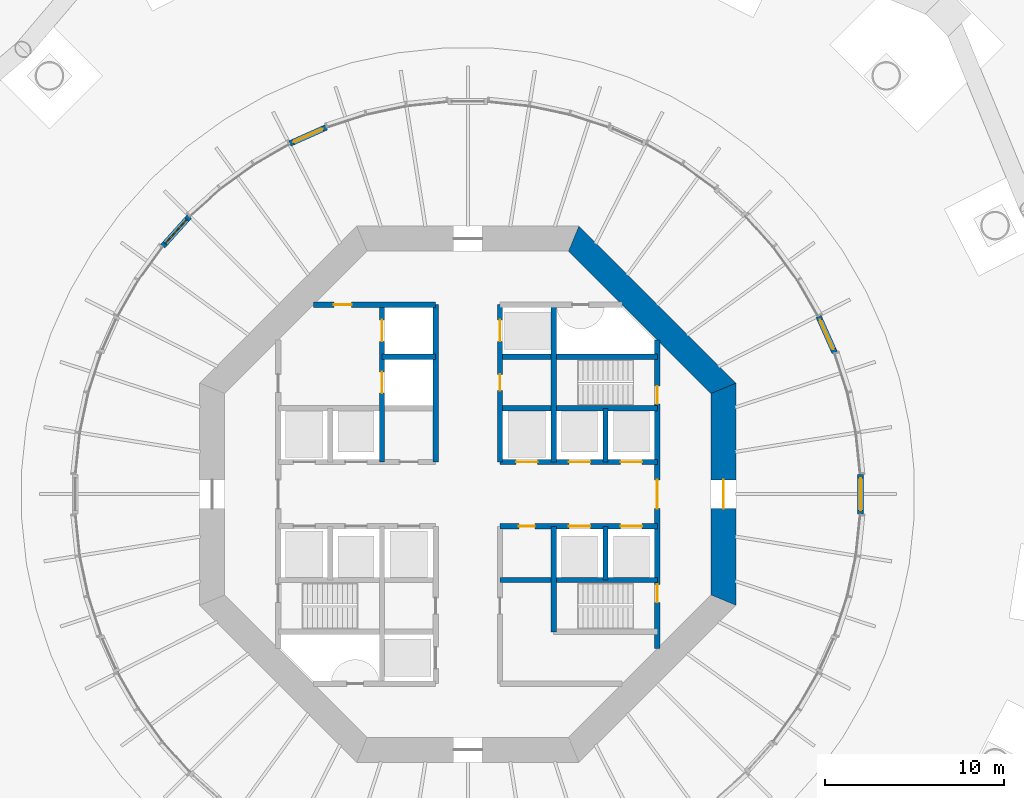
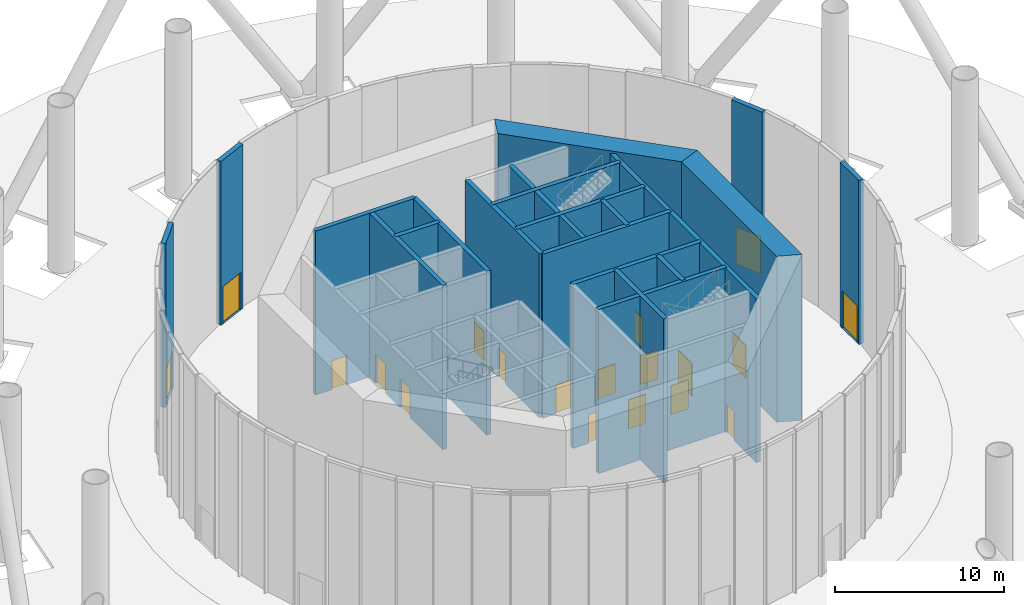
# One storey, part 5 of 12: 21 walls, 19 doors, 19 openings.
"""IFC4 building model written with IfcOpenShell, lengths in metres."""

from ifc_helpers import new_model, si_unit, direction, frame, frame_2d, origin, place, context, subcontext, project, spatial, polyline, rectangle, outline, extrude, material, layer, layer_set, type_object, element, fill, save


model = new_model("IFC4")

# Units and contexts
model_context = context("Model", 3, precision=1e-05, world=origin(), true_north=direction((0.0, 1.0)))
body_context = subcontext(model_context, "Body", "Model", "MODEL_VIEW")
ifc_project = project(units=[si_unit("LENGTHUNIT", "METRE"), si_unit("AREAUNIT", "SQUARE_METRE"), si_unit("VOLUMEUNIT", "CUBIC_METRE"), si_unit("PLANEANGLEUNIT", "RADIAN"), si_unit("MASSUNIT", "GRAM", prefix="KILO")], contexts=[model_context])

# Site, building, storey
site_placement = place(None, origin())
site = spatial("IfcSite", under=ifc_project, at=site_placement, CompositionType="ELEMENT")
building_placement = place(site_placement, origin())
building = spatial("IfcBuilding", under=site, at=building_placement, Name="Entoto Ring Tower", CompositionType="ELEMENT")
storey_placement = place(building_placement, origin())
storey = spatial("IfcBuildingStorey", under=building, at=storey_placement, Name="L00", CompositionType="ELEMENT", Elevation=0.0)

# Wall, openings, doors
ifc_material_1 = material(Name="Concrete C40/50", Category="concrete")
ifc_layer_1 = layer(ifc_material_1, 0.300048828125)
ifc_layer_set_1 = layer_set([ifc_layer_1], Name="Concrete C40/50")
wall_type_1 = type_object("IfcWallType", Name="Core enclosure wall 300 mm reinforced concrete", PredefinedType="SOLIDWALL", material=ifc_layer_set_1)
wall_1_placement = place(storey_placement, frame((100.60009765625, 71.36669921875, 0.0), z_axis=(0.0, 0.0, 1.0), x_axis=(0.0, 1.0, 0.0)))
wall_1 = element("IfcWall", 1, at=wall_1_placement, inside=storey, type_object=wall_type_1, Name="wall-L00-001", PredefinedType="SOLIDWALL", context=body_context, shape_type="SweptSolid", body=[
    extrude(rectangle(XDim=17.2666015625, YDim=0.300048828125, at=frame_2d((8.63330078125, 0.0))), origin(), (0.0, 0.0, 1.0), 11.85009765625),
])
opening_1_placement = place(wall_1_placement, frame((13.683349609375, 0.0, 0.0)))
opening_1 = element("IfcOpeningElement", 2, at=opening_1_placement, cuts=wall_1, Name="Opening K-22", PredefinedType="OPENING", context=body_context, shape_type="SweptSolid", body=[
    extrude(rectangle(XDim=1.0, YDim=2.10009765625, at=frame_2d((0.5, 1.050048828125))), frame((0.0, 0.16015625, 0.0), z_axis=(0.0, -1.0, 0.0), x_axis=(1.0, 0.0, 0.0)), (0.0, 0.0, 1.0), 0.320068359375),
])
opening_2_placement = place(wall_1_placement, frame((2.583251953125, 0.0, 0.0)))
opening_2 = element("IfcOpeningElement", 3, at=opening_2_placement, cuts=wall_1, Name="Opening K-73", PredefinedType="OPENING", context=body_context, shape_type="SweptSolid", body=[
    extrude(rectangle(XDim=1.0, YDim=2.10009765625, at=frame_2d((0.5, 1.050048828125))), frame((0.0, 0.16015625, 0.0), z_axis=(0.0, -1.0, 0.0), x_axis=(1.0, 0.0, 0.0)), (0.0, 0.0, 1.0), 0.320068359375),
])
opening_3_placement = place(wall_1_placement, frame((7.833251953125, 0.0, 0.0)))
opening_3 = element("IfcOpeningElement", 4, at=opening_3_placement, cuts=wall_1, Name="Opening KV-01", PredefinedType="OPENING", context=body_context, shape_type="SweptSolid", body=[
    extrude(rectangle(XDim=1.60009765625, YDim=2.39990234375, at=frame_2d((0.800048828125, 1.199951171875))), frame((0.0, 0.16015625, 0.0), z_axis=(0.0, -1.0, 0.0), x_axis=(1.0, 0.0, 0.0)), (0.0, 0.0, 1.0), 0.320068359375),
])
ifc_material_2 = material(Name="Steel door leaf, fire rated", Category="steel")
ifc_layer_2 = layer(ifc_material_2, 0.050048828125)
ifc_layer_set_2 = layer_set([ifc_layer_2], Name="Steel door leaf, fire rated")
door_type_1 = type_object("IfcDoorType", Name="Entrance door FD60 1600 x 2400 double leaf", OperationType="DOUBLE_DOOR_SINGLE_SWING", PredefinedType="DOOR", material=ifc_layer_set_2)
door_1_placement = place(opening_3_placement, frame((1.60009765625, 0.0, 0.0), z_axis=(0.0, 0.0, 1.0), x_axis=(-1.0, 0.0, 0.0)))
door_1 = element("IfcDoor", 5, at=door_1_placement, inside=storey, type_object=door_type_1, Name="Door KV-01", OperationType="DOUBLE_DOOR_SINGLE_SWING", OverallHeight=2.39990234375, OverallWidth=1.60009765625, PredefinedType="DOOR", context=body_context, shape_type="SweptSolid", body=[
    extrude(rectangle(XDim=1.60009765625, YDim=2.39990234375, at=frame_2d((0.800048828125, 1.199951171875))), frame((0.0, 0.02490234375, 0.0), z_axis=(0.0, -1.0, 0.0), x_axis=(1.0, 0.0, 0.0)), (0.0, 0.0, 1.0), 0.050048828125),
])
fill(opening_3, door_1)
ifc_material_3 = material(Name="Steel door leaf, fire rated", Category="steel")
ifc_layer_3 = layer(ifc_material_3, 0.050048828125)
ifc_layer_set_3 = layer_set([ifc_layer_3], Name="Steel door leaf, fire rated")
door_type_2 = type_object("IfcDoorType", Name="Fire door FD60 1000 x 2100 single leaf", OperationType="NOTDEFINED", PredefinedType="DOOR", material=ifc_layer_set_3)
door_2_placement = place(opening_1_placement, origin())
door_2 = element("IfcDoor", 6, at=door_2_placement, inside=storey, type_object=door_type_2, Name="Door K-22", OperationType="SINGLE_SWING_LEFT", OverallHeight=2.10009765625, OverallWidth=1.0, PredefinedType="DOOR", context=body_context, shape_type="SweptSolid", body=[
    extrude(rectangle(XDim=1.0, YDim=2.10009765625, at=frame_2d((0.5, 1.050048828125))), frame((0.0, 0.02490234375, 0.0), z_axis=(0.0, -1.0, 0.0), x_axis=(1.0, 0.0, 0.0)), (0.0, 0.0, 1.0), 0.050048828125),
])
fill(opening_1, door_2)
door_3_placement = place(opening_2_placement, origin())
door_3 = element("IfcDoor", 7, at=door_3_placement, inside=storey, type_object=door_type_2, Name="Door K-73", OperationType="SINGLE_SWING_RIGHT", OverallHeight=2.10009765625, OverallWidth=1.0, PredefinedType="DOOR", context=body_context, shape_type="SweptSolid", body=[
    extrude(rectangle(XDim=1.0, YDim=2.10009765625, at=frame_2d((0.5, 1.050048828125))), frame((0.0, 0.02490234375, 0.0), z_axis=(0.0, -1.0, 0.0), x_axis=(1.0, 0.0, 0.0)), (0.0, 0.0, 1.0), 0.050048828125),
])
fill(opening_2, door_3)

# Walls
for number, where, z_axis, x_axis, name in (
    (8, (97.699951171875, 75.199951171875, 0.0), (0.0, 0.0, 1.0), (0.0, 1.0, 0.0), "wall-L00-002"),
    (9, (97.699951171875, 81.800048828125, 0.0), (0.0, 0.0, 1.0), (0.0, 1.0, 0.0), "wall-L00-003"),
):
    element("IfcWall", number, at=place(storey_placement, frame(where, z_axis=z_axis, x_axis=x_axis)), inside=storey, type_object=wall_type_1, Name=name, PredefinedType="SOLIDWALL", context=body_context, shape_type="SweptSolid", body=[
        extrude(rectangle(XDim=3.0, YDim=0.300048828125, at=frame_2d((1.5, 0.0))), origin(), (0.0, 0.0, 1.0), 11.85009765625),
    ])
wall_2_placement = place(storey_placement, frame((94.800048828125, 72.300048828125, 0.0), z_axis=(0.0, 0.0, 1.0), x_axis=(0.0, 1.0, 0.0)))
element("IfcWall", 10, at=wall_2_placement, inside=storey, type_object=wall_type_1, Name="wall-L00-004", PredefinedType="SOLIDWALL", context=body_context, shape_type="SweptSolid", body=[
    extrude(rectangle(XDim=5.89990234375, YDim=0.300048828125, at=frame_2d((2.949951171875, 0.0))), origin(), (0.0, 0.0, 1.0), 11.85009765625),
])
wall_3_placement = place(storey_placement, frame((94.800048828125, 81.800048828125, 0.0), z_axis=(0.0, 0.0, 1.0), x_axis=(0.0, 1.0, 0.0)))
element("IfcWall", 11, at=wall_3_placement, inside=storey, type_object=wall_type_1, Name="wall-L00-005", PredefinedType="SOLIDWALL", context=body_context, shape_type="SweptSolid", body=[
    extrude(rectangle(XDim=8.800048828125, YDim=0.300048828125, at=frame_2d((4.39990234375, 0.0))), origin(), (0.0, 0.0, 1.0), 11.85009765625),
])

# Wall, openings, doors
wall_4_placement = place(storey_placement, frame((91.800048828125, 81.800048828125, 0.0), z_axis=(0.0, 0.0, 1.0), x_axis=(0.0, 1.0, 0.0)))
wall_4 = element("IfcWall", 12, at=wall_4_placement, inside=storey, type_object=wall_type_1, Name="wall-L00-007", PredefinedType="SOLIDWALL", context=body_context, shape_type="SweptSolid", body=[
    extrude(rectangle(XDim=8.800048828125, YDim=0.300048828125, at=frame_2d((4.39990234375, 0.0))), origin(), (0.0, 0.0, 1.0), 11.85009765625),
])
opening_4_placement = place(wall_4_placement, frame((6.75, 0.0, 0.0)))
opening_4 = element("IfcOpeningElement", 13, at=opening_4_placement, cuts=wall_4, Name="Opening LD", PredefinedType="OPENING", context=body_context, shape_type="SweptSolid", body=[
    extrude(rectangle(XDim=1.199951171875, YDim=2.10009765625, at=frame_2d((0.60009765625, 1.050048828125))), frame((0.0, 0.16015625, 0.0), z_axis=(0.0, -1.0, 0.0), x_axis=(1.0, 0.0, 0.0)), (0.0, 0.0, 1.0), 0.320068359375),
])
opening_5_placement = place(wall_4_placement, frame((4.0, 0.0, 0.0)))
opening_5 = element("IfcOpeningElement", 14, at=opening_5_placement, cuts=wall_4, Name="Opening K-57", PredefinedType="OPENING", context=body_context, shape_type="SweptSolid", body=[
    extrude(rectangle(XDim=0.89990234375, YDim=2.10009765625, at=frame_2d((0.449951171875, 1.050048828125))), frame((0.0, 0.16015625, 0.0), z_axis=(0.0, -1.0, 0.0), x_axis=(1.0, 0.0, 0.0)), (0.0, 0.0, 1.0), 0.320068359375),
])
ifc_material_4 = material(Name="Steel door leaf, fire rated", Category="steel")
ifc_layer_4 = layer(ifc_material_4, 0.050048828125)
ifc_layer_set_4 = layer_set([ifc_layer_4], Name="Steel door leaf, fire rated")
door_type_3 = type_object("IfcDoorType", Name="Core door 900 x 2100 single leaf", OperationType="NOTDEFINED", PredefinedType="DOOR", material=ifc_layer_set_4)
door_4_placement = place(opening_5_placement, frame((0.89990234375, 0.0, 0.0), z_axis=(0.0, 0.0, 1.0), x_axis=(-1.0, 0.0, 0.0)))
door_4 = element("IfcDoor", 15, at=door_4_placement, inside=storey, type_object=door_type_3, Name="Door K-57", OperationType="SINGLE_SWING_RIGHT", OverallHeight=2.10009765625, OverallWidth=0.89990234375, PredefinedType="DOOR", context=body_context, shape_type="SweptSolid", body=[
    extrude(rectangle(XDim=0.89990234375, YDim=2.10009765625, at=frame_2d((0.449951171875, 1.050048828125))), frame((0.0, 0.02490234375, 0.0), z_axis=(0.0, -1.0, 0.0), x_axis=(1.0, 0.0, 0.0)), (0.0, 0.0, 1.0), 0.050048828125),
])
fill(opening_5, door_4)
ifc_material_5 = material(Name="Steel and glass door leaf", Category="steel")
ifc_layer_5 = layer(ifc_material_5, 0.050048828125)
ifc_layer_set_5 = layer_set([ifc_layer_5], Name="Steel and glass door leaf")
door_type_4 = type_object("IfcDoorType", Name="Landing door 1200 x 2100 sliding", OperationType="DOUBLE_DOOR_SLIDING", PredefinedType="DOOR", material=ifc_layer_set_5)
door_5_placement = place(opening_4_placement, origin())
door_5 = element("IfcDoor", 16, at=door_5_placement, inside=storey, type_object=door_type_4, Name="Landing door SH3", OperationType="SLIDING_TO_RIGHT", OverallHeight=2.10009765625, OverallWidth=1.199951171875, PredefinedType="DOOR", context=body_context, shape_type="SweptSolid", body=[
    extrude(rectangle(XDim=1.199951171875, YDim=2.10009765625, at=frame_2d((0.60009765625, 1.050048828125))), frame((0.0, 0.02490234375, 0.0), z_axis=(0.0, -1.0, 0.0), x_axis=(1.0, 0.0, 0.0)), (0.0, 0.0, 1.0), 0.050048828125),
])
fill(opening_4, door_5)

# Wall
wall_5_placement = place(storey_placement, frame((88.199951171875, 81.800048828125, 0.0), z_axis=(0.0, 0.0, 1.0), x_axis=(0.0, 1.0, 0.0)))
element("IfcWall", 17, at=wall_5_placement, inside=storey, type_object=wall_type_1, Name="wall-L00-009", PredefinedType="SOLIDWALL", context=body_context, shape_type="SweptSolid", body=[
    extrude(rectangle(XDim=8.800048828125, YDim=0.300048828125, at=frame_2d((4.39990234375, 0.0))), origin(), (0.0, 0.0, 1.0), 11.85009765625),
])

# Wall, openings, doors
wall_6_placement = place(storey_placement, frame((85.199951171875, 81.800048828125, 0.0), z_axis=(0.0, 0.0, 1.0), x_axis=(0.0, 1.0, 0.0)))
wall_6 = element("IfcWall", 18, at=wall_6_placement, inside=storey, type_object=wall_type_1, Name="wall-L00-011", PredefinedType="SOLIDWALL", context=body_context, shape_type="SweptSolid", body=[
    extrude(rectangle(XDim=8.800048828125, YDim=0.300048828125, at=frame_2d((4.39990234375, 0.0))), origin(), (0.0, 0.0, 1.0), 11.85009765625),
])
opening_6_placement = place(wall_6_placement, frame((3.85009765625, 0.0, 0.0)))
opening_6 = element("IfcOpeningElement", 19, at=opening_6_placement, cuts=wall_6, Name="Opening LD", PredefinedType="OPENING", context=body_context, shape_type="SweptSolid", body=[
    extrude(rectangle(XDim=1.199951171875, YDim=2.10009765625, at=frame_2d((0.60009765625, 1.050048828125))), frame((0.0, 0.16015625, 0.0), z_axis=(0.0, -1.0, 0.0), x_axis=(1.0, 0.0, 0.0)), (0.0, 0.0, 1.0), 0.320068359375),
])
opening_7_placement = place(wall_6_placement, frame((6.75, 0.0, 0.0)))
opening_7 = element("IfcOpeningElement", 20, at=opening_7_placement, cuts=wall_6, Name="Opening LD", PredefinedType="OPENING", context=body_context, shape_type="SweptSolid", body=[
    extrude(rectangle(XDim=1.199951171875, YDim=2.10009765625, at=frame_2d((0.60009765625, 1.050048828125))), frame((0.0, 0.16015625, 0.0), z_axis=(0.0, -1.0, 0.0), x_axis=(1.0, 0.0, 0.0)), (0.0, 0.0, 1.0), 0.320068359375),
])
door_6_placement = place(opening_6_placement, origin())
door_6 = element("IfcDoor", 21, at=door_6_placement, inside=storey, type_object=door_type_4, Name="Landing door FF1", OperationType="SLIDING_TO_RIGHT", OverallHeight=2.10009765625, OverallWidth=1.199951171875, PredefinedType="DOOR", context=body_context, shape_type="SweptSolid", body=[
    extrude(rectangle(XDim=1.199951171875, YDim=2.10009765625, at=frame_2d((0.60009765625, 1.050048828125))), frame((0.0, 0.02490234375, 0.0), z_axis=(0.0, -1.0, 0.0), x_axis=(1.0, 0.0, 0.0)), (0.0, 0.0, 1.0), 0.050048828125),
])
fill(opening_6, door_6)
door_7_placement = place(opening_7_placement, origin())
door_7 = element("IfcDoor", 22, at=door_7_placement, inside=storey, type_object=door_type_4, Name="Landing door FF2", OperationType="SLIDING_TO_RIGHT", OverallHeight=2.10009765625, OverallWidth=1.199951171875, PredefinedType="DOOR", context=body_context, shape_type="SweptSolid", body=[
    extrude(rectangle(XDim=1.199951171875, YDim=2.10009765625, at=frame_2d((0.60009765625, 1.050048828125))), frame((0.0, 0.02490234375, 0.0), z_axis=(0.0, -1.0, 0.0), x_axis=(1.0, 0.0, 0.0)), (0.0, 0.0, 1.0), 0.050048828125),
])
fill(opening_7, door_7)

# Wall
wall_7_placement = place(storey_placement, frame((91.800048828125, 75.199951171875, 0.0), z_axis=(0.0, 0.0, 1.0), x_axis=(1.0, 0.0, 0.0)))
element("IfcWall", 23, at=wall_7_placement, inside=storey, type_object=wall_type_1, Name="wall-L00-020", PredefinedType="SOLIDWALL", context=body_context, shape_type="SweptSolid", body=[
    extrude(rectangle(XDim=8.800048828125, YDim=0.300048828125, at=frame_2d((4.39990234375, 0.0))), origin(), (0.0, 0.0, 1.0), 11.85009765625),
])

# Wall, openings, doors
wall_8_placement = place(storey_placement, frame((91.800048828125, 78.199951171875, 0.0), z_axis=(0.0, 0.0, 1.0), x_axis=(1.0, 0.0, 0.0)))
wall_8 = element("IfcWall", 24, at=wall_8_placement, inside=storey, type_object=wall_type_1, Name="wall-L00-022", PredefinedType="SOLIDWALL", context=body_context, shape_type="SweptSolid", body=[
    extrude(rectangle(XDim=8.800048828125, YDim=0.300048828125, at=frame_2d((4.39990234375, 0.0))), origin(), (0.0, 0.0, 1.0), 11.85009765625),
])
opening_8_placement = place(wall_8_placement, frame((3.85009765625, 0.0, 0.0)))
opening_8 = element("IfcOpeningElement", 25, at=opening_8_placement, cuts=wall_8, Name="Opening LD", PredefinedType="OPENING", context=body_context, shape_type="SweptSolid", body=[
    extrude(rectangle(XDim=1.199951171875, YDim=2.10009765625, at=frame_2d((0.60009765625, 1.050048828125))), frame((0.0, 0.16015625, 0.0), z_axis=(0.0, -1.0, 0.0), x_axis=(1.0, 0.0, 0.0)), (0.0, 0.0, 1.0), 0.320068359375),
])
opening_9_placement = place(wall_8_placement, frame((6.75, 0.0, 0.0)))
opening_9 = element("IfcOpeningElement", 26, at=opening_9_placement, cuts=wall_8, Name="Opening LD", PredefinedType="OPENING", context=body_context, shape_type="SweptSolid", body=[
    extrude(rectangle(XDim=1.199951171875, YDim=2.10009765625, at=frame_2d((0.60009765625, 1.050048828125))), frame((0.0, 0.16015625, 0.0), z_axis=(0.0, -1.0, 0.0), x_axis=(1.0, 0.0, 0.0)), (0.0, 0.0, 1.0), 0.320068359375),
])
opening_10_placement = place(wall_8_placement, frame((1.050048828125, 0.0, 0.0)))
opening_10 = element("IfcOpeningElement", 27, at=opening_10_placement, cuts=wall_8, Name="Opening K-21", PredefinedType="OPENING", context=body_context, shape_type="SweptSolid", body=[
    extrude(rectangle(XDim=0.89990234375, YDim=2.10009765625, at=frame_2d((0.449951171875, 1.050048828125))), frame((0.0, 0.16015625, 0.0), z_axis=(0.0, -1.0, 0.0), x_axis=(1.0, 0.0, 0.0)), (0.0, 0.0, 1.0), 0.320068359375),
])
door_8_placement = place(opening_10_placement, frame((0.89990234375, 0.0, 0.0), z_axis=(0.0, 0.0, 1.0), x_axis=(-1.0, 0.0, 0.0)))
door_8 = element("IfcDoor", 28, at=door_8_placement, inside=storey, type_object=door_type_3, Name="Door K-21", OperationType="SINGLE_SWING_RIGHT", OverallHeight=2.10009765625, OverallWidth=0.89990234375, PredefinedType="DOOR", context=body_context, shape_type="SweptSolid", body=[
    extrude(rectangle(XDim=0.89990234375, YDim=2.10009765625, at=frame_2d((0.449951171875, 1.050048828125))), frame((0.0, 0.02490234375, 0.0), z_axis=(0.0, -1.0, 0.0), x_axis=(1.0, 0.0, 0.0)), (0.0, 0.0, 1.0), 0.050048828125),
])
fill(opening_10, door_8)
door_9_placement = place(opening_8_placement, origin())
door_9 = element("IfcDoor", 29, at=door_9_placement, inside=storey, type_object=door_type_4, Name="Landing door LB4-LR", OperationType="SLIDING_TO_RIGHT", OverallHeight=2.10009765625, OverallWidth=1.199951171875, PredefinedType="DOOR", context=body_context, shape_type="SweptSolid", body=[
    extrude(rectangle(XDim=1.199951171875, YDim=2.10009765625, at=frame_2d((0.60009765625, 1.050048828125))), frame((0.0, 0.02490234375, 0.0), z_axis=(0.0, -1.0, 0.0), x_axis=(1.0, 0.0, 0.0)), (0.0, 0.0, 1.0), 0.050048828125),
])
fill(opening_8, door_9)
door_10_placement = place(opening_9_placement, origin())
door_10 = element("IfcDoor", 30, at=door_10_placement, inside=storey, type_object=door_type_4, Name="Landing door LB5-LR", OperationType="SLIDING_TO_RIGHT", OverallHeight=2.10009765625, OverallWidth=1.199951171875, PredefinedType="DOOR", context=body_context, shape_type="SweptSolid", body=[
    extrude(rectangle(XDim=1.199951171875, YDim=2.10009765625, at=frame_2d((0.60009765625, 1.050048828125))), frame((0.0, 0.02490234375, 0.0), z_axis=(0.0, -1.0, 0.0), x_axis=(1.0, 0.0, 0.0)), (0.0, 0.0, 1.0), 0.050048828125),
])
fill(opening_9, door_10)

wall_9_placement = place(storey_placement, frame((91.800048828125, 81.800048828125, 0.0), z_axis=(0.0, 0.0, 1.0), x_axis=(1.0, 0.0, 0.0)))
wall_9 = element("IfcWall", 31, at=wall_9_placement, inside=storey, type_object=wall_type_1, Name="wall-L00-024", PredefinedType="SOLIDWALL", context=body_context, shape_type="SweptSolid", body=[
    extrude(rectangle(XDim=8.800048828125, YDim=0.300048828125, at=frame_2d((4.39990234375, 0.0))), origin(), (0.0, 0.0, 1.0), 11.85009765625),
])
opening_11_placement = place(wall_9_placement, frame((3.85009765625, 0.0, 0.0)))
opening_11 = element("IfcOpeningElement", 32, at=opening_11_placement, cuts=wall_9, Name="Opening LD", PredefinedType="OPENING", context=body_context, shape_type="SweptSolid", body=[
    extrude(rectangle(XDim=1.199951171875, YDim=2.10009765625, at=frame_2d((0.60009765625, 1.050048828125))), frame((0.0, 0.16015625, 0.0), z_axis=(0.0, -1.0, 0.0), x_axis=(1.0, 0.0, 0.0)), (0.0, 0.0, 1.0), 0.320068359375),
])
opening_12_placement = place(wall_9_placement, frame((6.75, 0.0, 0.0)))
opening_12 = element("IfcOpeningElement", 33, at=opening_12_placement, cuts=wall_9, Name="Opening LD", PredefinedType="OPENING", context=body_context, shape_type="SweptSolid", body=[
    extrude(rectangle(XDim=1.199951171875, YDim=2.10009765625, at=frame_2d((0.60009765625, 1.050048828125))), frame((0.0, 0.16015625, 0.0), z_axis=(0.0, -1.0, 0.0), x_axis=(1.0, 0.0, 0.0)), (0.0, 0.0, 1.0), 0.320068359375),
])
opening_13_placement = place(wall_9_placement, frame((0.89990234375, 0.0, 0.0)))
opening_13 = element("IfcOpeningElement", 34, at=opening_13_placement, cuts=wall_9, Name="Opening LD", PredefinedType="OPENING", context=body_context, shape_type="SweptSolid", body=[
    extrude(rectangle(XDim=1.199951171875, YDim=2.10009765625, at=frame_2d((0.60009765625, 1.050048828125))), frame((0.0, 0.16015625, 0.0), z_axis=(0.0, -1.0, 0.0), x_axis=(1.0, 0.0, 0.0)), (0.0, 0.0, 1.0), 0.320068359375),
])
door_11_placement = place(opening_11_placement, origin())
door_11 = element("IfcDoor", 35, at=door_11_placement, inside=storey, type_object=door_type_4, Name="Landing door LB1-LR", OperationType="SLIDING_TO_RIGHT", OverallHeight=2.10009765625, OverallWidth=1.199951171875, PredefinedType="DOOR", context=body_context, shape_type="SweptSolid", body=[
    extrude(rectangle(XDim=1.199951171875, YDim=2.10009765625, at=frame_2d((0.60009765625, 1.050048828125))), frame((0.0, 0.02490234375, 0.0), z_axis=(0.0, -1.0, 0.0), x_axis=(1.0, 0.0, 0.0)), (0.0, 0.0, 1.0), 0.050048828125),
])
fill(opening_11, door_11)
door_12_placement = place(opening_12_placement, origin())
door_12 = element("IfcDoor", 36, at=door_12_placement, inside=storey, type_object=door_type_4, Name="Landing door LB2-LR", OperationType="SLIDING_TO_RIGHT", OverallHeight=2.10009765625, OverallWidth=1.199951171875, PredefinedType="DOOR", context=body_context, shape_type="SweptSolid", body=[
    extrude(rectangle(XDim=1.199951171875, YDim=2.10009765625, at=frame_2d((0.60009765625, 1.050048828125))), frame((0.0, 0.02490234375, 0.0), z_axis=(0.0, -1.0, 0.0), x_axis=(1.0, 0.0, 0.0)), (0.0, 0.0, 1.0), 0.050048828125),
])
fill(opening_12, door_12)
door_13_placement = place(opening_13_placement, origin())
door_13 = element("IfcDoor", 37, at=door_13_placement, inside=storey, type_object=door_type_4, Name="Landing door OB1", OperationType="SLIDING_TO_LEFT", OverallHeight=2.10009765625, OverallWidth=1.199951171875, PredefinedType="DOOR", context=body_context, shape_type="SweptSolid", body=[
    extrude(rectangle(XDim=1.199951171875, YDim=2.10009765625, at=frame_2d((0.60009765625, 1.050048828125))), frame((0.0, 0.02490234375, 0.0), z_axis=(0.0, -1.0, 0.0), x_axis=(1.0, 0.0, 0.0)), (0.0, 0.0, 1.0), 0.050048828125),
])
fill(opening_13, door_13)

# Walls
wall_10_placement = place(storey_placement, frame((91.800048828125, 84.800048828125, 0.0), z_axis=(0.0, 0.0, 1.0), x_axis=(1.0, 0.0, 0.0)))
element("IfcWall", 38, at=wall_10_placement, inside=storey, type_object=wall_type_1, Name="wall-L00-026", PredefinedType="SOLIDWALL", context=body_context, shape_type="SweptSolid", body=[
    extrude(rectangle(XDim=8.800048828125, YDim=0.300048828125, at=frame_2d((4.39990234375, 0.0))), origin(), (0.0, 0.0, 1.0), 11.85009765625),
])
wall_11_placement = place(storey_placement, frame((85.199951171875, 87.699951171875, 0.0), z_axis=(0.0, 0.0, 1.0), x_axis=(1.0, 0.0, 0.0)))
element("IfcWall", 39, at=wall_11_placement, inside=storey, type_object=wall_type_1, Name="wall-L00-027", PredefinedType="SOLIDWALL", context=body_context, shape_type="SweptSolid", body=[
    extrude(rectangle(XDim=3.0, YDim=0.300048828125, at=frame_2d((1.5, 0.0))), origin(), (0.0, 0.0, 1.0), 11.85009765625),
])
wall_12_placement = place(storey_placement, frame((91.800048828125, 87.699951171875, 0.0), z_axis=(0.0, 0.0, 1.0), x_axis=(1.0, 0.0, 0.0)))
element("IfcWall", 40, at=wall_12_placement, inside=storey, type_object=wall_type_1, Name="wall-L00-028", PredefinedType="SOLIDWALL", context=body_context, shape_type="SweptSolid", body=[
    extrude(rectangle(XDim=8.800048828125, YDim=0.300048828125, at=frame_2d((4.39990234375, 0.0))), origin(), (0.0, 0.0, 1.0), 11.85009765625),
])

# Wall, opening, door
wall_13_placement = place(storey_placement, frame((81.36669921875, 90.60009765625, 0.0), z_axis=(0.0, 0.0, 1.0), x_axis=(1.0, 0.0, 0.0)))
wall_13 = element("IfcWall", 41, at=wall_13_placement, inside=storey, type_object=wall_type_1, Name="wall-L00-029", PredefinedType="SOLIDWALL", context=body_context, shape_type="SweptSolid", body=[
    extrude(rectangle(XDim=6.833251953125, YDim=0.300048828125, at=frame_2d((3.41650390625, 0.0))), origin(), (0.0, 0.0, 1.0), 11.85009765625),
])
opening_14_placement = place(wall_13_placement, frame((1.13330078125, 0.0, 0.0)))
opening_14 = element("IfcOpeningElement", 42, at=opening_14_placement, cuts=wall_13, Name="Opening K-28", PredefinedType="OPENING", context=body_context, shape_type="SweptSolid", body=[
    extrude(rectangle(XDim=1.0, YDim=2.10009765625, at=frame_2d((0.5, 1.050048828125))), frame((0.0, 0.16015625, 0.0), z_axis=(0.0, -1.0, 0.0), x_axis=(1.0, 0.0, 0.0)), (0.0, 0.0, 1.0), 0.320068359375),
])
door_14_placement = place(opening_14_placement, frame((1.0, 0.0, 0.0), z_axis=(0.0, 0.0, 1.0), x_axis=(-1.0, 0.0, 0.0)))
door_14 = element("IfcDoor", 43, at=door_14_placement, inside=storey, type_object=door_type_2, Name="Door K-28", OperationType="SINGLE_SWING_RIGHT", OverallHeight=2.10009765625, OverallWidth=1.0, PredefinedType="DOOR", context=body_context, shape_type="SweptSolid", body=[
    extrude(rectangle(XDim=1.0, YDim=2.10009765625, at=frame_2d((0.5, 1.050048828125))), frame((0.0, 0.02490234375, 0.0), z_axis=(0.0, -1.0, 0.0), x_axis=(1.0, 0.0, 0.0)), (0.0, 0.0, 1.0), 0.050048828125),
])
fill(opening_14, door_14)

ifc_material_6 = material(Name="Concrete C60/75", Category="concrete")
ifc_layer_6 = layer(ifc_material_6, 1.39990234375)
ifc_layer_set_6 = layer_set([ifc_layer_6], Name="Concrete C60/75")
wall_type_2 = type_object("IfcWallType", Name="Core shear wall 1400 mm reinforced concrete C60/75", PredefinedType="SHEAR", material=ifc_layer_set_6)
wall_14_placement = place(storey_placement, frame((104.300048828125, 74.07666015625, 0.0), z_axis=(0.0, 0.0, 1.0), x_axis=(0.0, 1.0, 0.0)))
wall_14 = element("IfcWall", 44, at=wall_14_placement, inside=storey, type_object=wall_type_2, Name="wall-L00-core-0", PredefinedType="SHEAR", context=body_context, shape_type="SweptSolid", body=[
    extrude(outline(polyline([(-0.2900390625, -0.699951171875), (12.13671875, -0.699951171875), (11.556640625, 0.699951171875), (0.2900390625, 0.699951171875), (-0.2900390625, -0.699951171875)])), origin(), (0.0, 0.0, 1.0), 12.0),
])
opening_15_placement = place(wall_14_placement, frame((5.123291015625, 0.0, 0.0)))
opening_15 = element("IfcOpeningElement", 45, at=opening_15_placement, cuts=wall_14, Name="Opening K-01", PredefinedType="OPENING", context=body_context, shape_type="SweptSolid", body=[
    extrude(rectangle(XDim=1.60009765625, YDim=2.39990234375, at=frame_2d((0.800048828125, 1.199951171875))), frame((0.0, 0.7099609375, 0.0), z_axis=(0.0, -1.0, 0.0), x_axis=(1.0, 0.0, 0.0)), (0.0, 0.0, 1.0), 1.419921875),
])
door_15_placement = place(opening_15_placement, frame((1.60009765625, 0.0, 0.0), z_axis=(0.0, 0.0, 1.0), x_axis=(-1.0, 0.0, 0.0)))
door_15 = element("IfcDoor", 46, at=door_15_placement, inside=storey, type_object=door_type_1, Name="Entrance door K-01", OperationType="DOUBLE_DOOR_SINGLE_SWING", OverallHeight=2.39990234375, OverallWidth=1.60009765625, PredefinedType="DOOR", context=body_context, shape_type="SweptSolid", body=[
    extrude(rectangle(XDim=1.60009765625, YDim=2.39990234375, at=frame_2d((0.800048828125, 1.199951171875))), frame((0.0, 0.02490234375, 0.0), z_axis=(0.0, -1.0, 0.0), x_axis=(1.0, 0.0, 0.0)), (0.0, 0.0, 1.0), 0.050048828125),
])
fill(opening_15, door_15)

# Wall
wall_15_placement = place(storey_placement, frame((104.300048828125, 85.92333984375, 0.0), z_axis=(0.0, 0.0, 1.0), x_axis=(-0.707106781187, 0.707106781187, 0.0)))
element("IfcWall", 47, at=wall_15_placement, inside=storey, type_object=wall_type_2, Name="wall-L00-core-1", PredefinedType="SHEAR", context=body_context, shape_type="SweptSolid", body=[
    extrude(outline(polyline([(-0.2900390625, -0.699951171875), (12.136474609375, -0.699951171875), (11.556396484375, 0.699951171875), (0.2900390625, 0.699951171875), (-0.2900390625, -0.699951171875)])), origin(), (0.0, 0.0, 1.0), 12.0),
])

# Wall, opening, door
ifc_material_7 = material(Name="Trachyte stone cladding", Category="masonry")
ifc_layer_7 = layer(ifc_material_7, 0.06005859375)
ifc_material_8 = material(Name="Concrete C40/50", Category="concrete")
ifc_layer_8 = layer(ifc_material_8, 0.260009765625)
ifc_layer_set_7 = layer_set([ifc_layer_7, ifc_layer_8], Name="Trachyte stone cladding")
wall_type_3 = type_object("IfcWallType", Name="Entrance pier 320 mm trachyte-clad", PredefinedType="STANDARD", material=ifc_layer_set_7)
wall_16_placement = place(storey_placement, frame((110.5224609375, 87.920654296875, 0.0), z_axis=(0.0, 0.0, 1.0), x_axis=(-0.406739670382, 0.913544109793, 0.0)))
wall_16 = element("IfcWall", 48, at=wall_16_placement, inside=storey, type_object=wall_type_3, Name="ENTRANCE PIER 1", PredefinedType="STANDARD", context=body_context, shape_type="SweptSolid", body=[
    extrude(rectangle(XDim=2.22265625, YDim=0.320068359375, at=frame_2d((1.111328125, 0.0))), origin(), (0.0, 0.0, 1.0), 11.85009765625),
])
opening_16_placement = place(wall_16_placement, frame((0.21142578125, 0.0, 0.0)))
opening_16 = element("IfcOpeningElement", 49, at=opening_16_placement, cuts=wall_16, Name="Opening E1", PredefinedType="OPENING", context=body_context, shape_type="SweptSolid", body=[
    extrude(rectangle(XDim=1.800048828125, YDim=2.699951171875, at=frame_2d((0.89990234375, 1.35009765625))), frame((0.0, 0.169921875, 0.0), z_axis=(0.0, -1.0, 0.0), x_axis=(1.0, 0.0, 0.0)), (0.0, 0.0, 1.0), 0.340087890625),
])
ifc_material_9 = material(Name="Anodised aluminium frame with toughened clear glass", Category="aluminium")
door_type_5 = type_object("IfcDoorType", Name="Entrance door set 1800 x 2700 mm sliding", OperationType="DOUBLE_DOOR_SLIDING", PredefinedType="DOOR", material=ifc_material_9)
door_16_placement = place(opening_16_placement, frame((1.800048828125, 0.0, 0.0), z_axis=(0.0, 0.0, 1.0), x_axis=(-1.0, 0.0, 0.0)))
door_16 = element("IfcDoor", 50, at=door_16_placement, inside=storey, type_object=door_type_5, Name="ENTRANCE DOOR 1", OperationType="DOUBLE_DOOR_SLIDING", OverallHeight=2.699951171875, OverallWidth=1.800048828125, PredefinedType="DOOR", context=body_context, shape_type="SweptSolid", body=[
    extrude(rectangle(XDim=1.800048828125, YDim=2.699951171875, at=frame_2d((0.89990234375, 1.35009765625))), frame((0.0, 0.02490234375, 0.0), z_axis=(0.0, -1.0, 0.0), x_axis=(1.0, 0.0, 0.0)), (0.0, 0.0, 1.0), 0.050048828125),
])
fill(opening_16, door_16)

wall_17_placement = place(storey_placement, frame((82.079345703125, 100.5224609375, 0.0), z_axis=(0.0, 0.0, 1.0), x_axis=(-0.913544109793, -0.406739670382, 0.0)))
wall_17 = element("IfcWall", 51, at=wall_17_placement, inside=storey, type_object=wall_type_3, Name="ENTRANCE PIER 5", PredefinedType="STANDARD", context=body_context, shape_type="SweptSolid", body=[
    extrude(rectangle(XDim=2.22265625, YDim=0.320068359375, at=frame_2d((1.111328125, 0.0))), origin(), (0.0, 0.0, 1.0), 11.85009765625),
])
opening_17_placement = place(wall_17_placement, frame((0.21142578125, 0.0, 0.0)))
opening_17 = element("IfcOpeningElement", 52, at=opening_17_placement, cuts=wall_17, Name="Opening E5", PredefinedType="OPENING", context=body_context, shape_type="SweptSolid", body=[
    extrude(rectangle(XDim=1.800048828125, YDim=2.699951171875, at=frame_2d((0.89990234375, 1.35009765625))), frame((0.0, 0.169921875, 0.0), z_axis=(0.0, -1.0, 0.0), x_axis=(1.0, 0.0, 0.0)), (0.0, 0.0, 1.0), 0.340087890625),
])
door_17_placement = place(opening_17_placement, frame((1.800048828125, 0.0, 0.0), z_axis=(0.0, 0.0, 1.0), x_axis=(-1.0, 0.0, 0.0)))
door_17 = element("IfcDoor", 53, at=door_17_placement, inside=storey, type_object=door_type_5, Name="ENTRANCE DOOR 5", OperationType="DOUBLE_DOOR_SLIDING", OverallHeight=2.699951171875, OverallWidth=1.800048828125, PredefinedType="DOOR", context=body_context, shape_type="SweptSolid", body=[
    extrude(rectangle(XDim=1.800048828125, YDim=2.699951171875, at=frame_2d((0.89990234375, 1.35009765625))), frame((0.0, 0.02490234375, 0.0), z_axis=(0.0, -1.0, 0.0), x_axis=(1.0, 0.0, 0.0)), (0.0, 0.0, 1.0), 0.050048828125),
])
fill(opening_17, door_17)

wall_18_placement = place(storey_placement, frame((74.4169921875, 95.526611328125, 0.0), z_axis=(0.0, 0.0, 1.0), x_axis=(-0.669183145537, -0.743097515625, 0.0)))
wall_18 = element("IfcWall", 54, at=wall_18_placement, inside=storey, type_object=wall_type_3, Name="ENTRANCE PIER 6", PredefinedType="STANDARD", context=body_context, shape_type="SweptSolid", body=[
    extrude(rectangle(XDim=2.222900390625, YDim=0.320068359375, at=frame_2d((1.111328125, 0.0))), origin(), (0.0, 0.0, 1.0), 11.85009765625),
])
opening_18_placement = place(wall_18_placement, frame((0.21142578125, 0.0, 0.0)))
opening_18 = element("IfcOpeningElement", 55, at=opening_18_placement, cuts=wall_18, Name="Opening E6", PredefinedType="OPENING", context=body_context, shape_type="SweptSolid", body=[
    extrude(rectangle(XDim=1.800048828125, YDim=2.699951171875, at=frame_2d((0.89990234375, 1.35009765625))), frame((0.0, 0.169921875, 0.0), z_axis=(0.0, -1.0, 0.0), x_axis=(1.0, 0.0, 0.0)), (0.0, 0.0, 1.0), 0.340087890625),
])
door_18_placement = place(opening_18_placement, frame((1.800048828125, 0.0, 0.0), z_axis=(0.0, 0.0, 1.0), x_axis=(-1.0, 0.0, 0.0)))
door_18 = element("IfcDoor", 56, at=door_18_placement, inside=storey, type_object=door_type_5, Name="ENTRANCE DOOR 6", OperationType="DOUBLE_DOOR_SLIDING", OverallHeight=2.699951171875, OverallWidth=1.800048828125, PredefinedType="DOOR", context=body_context, shape_type="SweptSolid", body=[
    extrude(rectangle(XDim=1.800048828125, YDim=2.699951171875, at=frame_2d((0.89990234375, 1.35009765625))), frame((0.0, 0.02490234375, 0.0), z_axis=(0.0, -1.0, 0.0), x_axis=(1.0, 0.0, 0.0)), (0.0, 0.0, 1.0), 0.050048828125),
])
fill(opening_18, door_18)

wall_19_placement = place(storey_placement, frame((111.969970703125, 78.888671875, 0.0), z_axis=(0.0, 0.0, 1.0), x_axis=(0.0, 1.0, 0.0)))
wall_19 = element("IfcWall", 57, at=wall_19_placement, inside=storey, type_object=wall_type_3, Name="ENTRANCE PIER 16", PredefinedType="STANDARD", context=body_context, shape_type="SweptSolid", body=[
    extrude(rectangle(XDim=2.22265625, YDim=0.320068359375, at=frame_2d((1.111328125, 0.0))), origin(), (0.0, 0.0, 1.0), 11.85009765625),
])
opening_19_placement = place(wall_19_placement, frame((0.21142578125, 0.0, 0.0)))
opening_19 = element("IfcOpeningElement", 58, at=opening_19_placement, cuts=wall_19, Name="Opening E16", PredefinedType="OPENING", context=body_context, shape_type="SweptSolid", body=[
    extrude(rectangle(XDim=1.800048828125, YDim=2.699951171875, at=frame_2d((0.89990234375, 1.35009765625))), frame((0.0, 0.169921875, 0.0), z_axis=(0.0, -1.0, 0.0), x_axis=(1.0, 0.0, 0.0)), (0.0, 0.0, 1.0), 0.340087890625),
])
door_19_placement = place(opening_19_placement, frame((1.800048828125, 0.0, 0.0), z_axis=(0.0, 0.0, 1.0), x_axis=(-1.0, 0.0, 0.0)))
door_19 = element("IfcDoor", 59, at=door_19_placement, inside=storey, type_object=door_type_5, Name="ENTRANCE DOOR 16", OperationType="DOUBLE_DOOR_SLIDING", OverallHeight=2.699951171875, OverallWidth=1.800048828125, PredefinedType="DOOR", context=body_context, shape_type="SweptSolid", body=[
    extrude(rectangle(XDim=1.800048828125, YDim=2.699951171875, at=frame_2d((0.89990234375, 1.35009765625))), frame((0.0, 0.02490234375, 0.0), z_axis=(0.0, -1.0, 0.0), x_axis=(1.0, 0.0, 0.0)), (0.0, 0.0, 1.0), 0.050048828125),
])
fill(opening_19, door_19)

save(model, "model.ifc")
